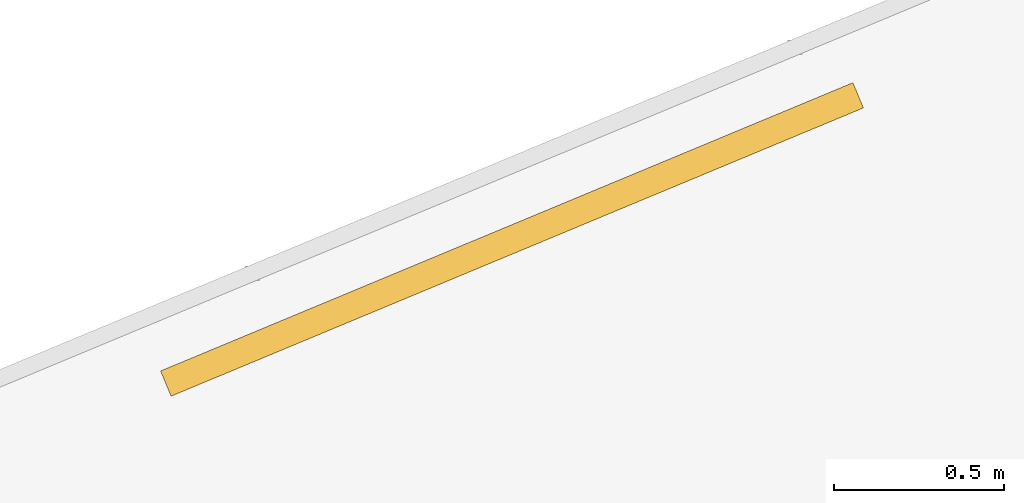
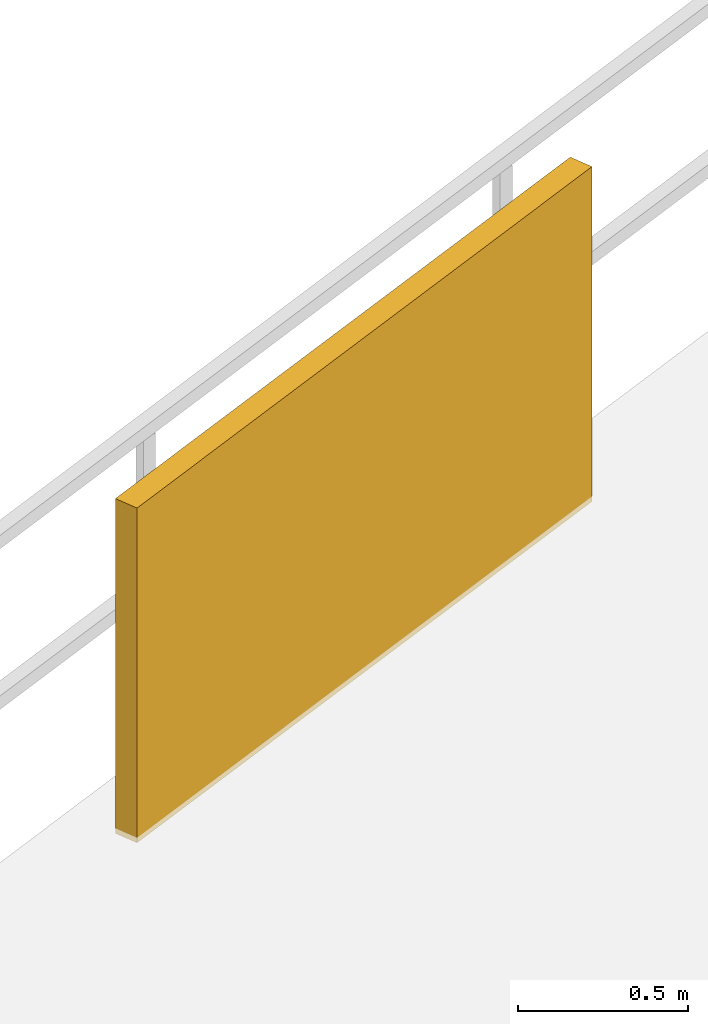
# One storey, part 28 of 29: 1 shading device.
"""IFC4 building model written with IfcOpenShell, lengths in metres."""

from ifc_helpers import new_model, si_unit, direction, frame, origin, origin_2d, place, context, subcontext, project, spatial, rectangle, extrude, material, type_object, element, save


model = new_model("IFC4")

# Units and contexts
model_context = context("Model", 3, precision=1e-05, world=origin(), true_north=direction((0.0, 1.0)))
body_context = subcontext(model_context, "Body", "Model", "MODEL_VIEW")
ifc_project = project(units=[si_unit("LENGTHUNIT", "METRE"), si_unit("AREAUNIT", "SQUARE_METRE"), si_unit("VOLUMEUNIT", "CUBIC_METRE"), si_unit("PLANEANGLEUNIT", "RADIAN"), si_unit("MASSUNIT", "GRAM", prefix="KILO")], contexts=[model_context])

# Site, building, storey
site_placement = place(None, origin())
site = spatial("IfcSite", under=ifc_project, at=site_placement, CompositionType="ELEMENT")
building_placement = place(site_placement, origin())
building = spatial("IfcBuilding", under=site, at=building_placement, Name="Vorneva Point Tower", CompositionType="ELEMENT")
storey_placement = place(building_placement, frame((0.0, 0.0, 255.550048828125)))
storey = spatial("IfcBuildingStorey", under=building, at=storey_placement, Name="L69", CompositionType="ELEMENT", Elevation=255.550048828125)

# Shading device
ifc_material = material(Name="Pale anodised aluminium", Category="aluminium")
shading_device_type = type_object("IfcShadingDeviceType", Name="SHD-JAL-1200", PredefinedType="JALOUSIE", material=ifc_material)
shading_device_placement = place(storey_placement, frame((20.12060546875, 42.988037109375, -0.02001953125), z_axis=(0.0, 0.0, 1.0), x_axis=(-0.923169968739, -0.3843919989, 0.0)))
element("IfcShadingDevice", 1, at=shading_device_placement, inside=storey, type_object=shading_device_type, Name="L69 Balcony Vertical-Greenery Planter Screen NW.2", PredefinedType="JALOUSIE", context=body_context, shape_type="SweptSolid", body=[
    extrude(rectangle(XDim=2.199951171875, YDim=0.080078125, at=origin_2d()), origin(), (0.0, 0.0, 1.0), 1.199951171875),
])

save(model, "model.ifc")
